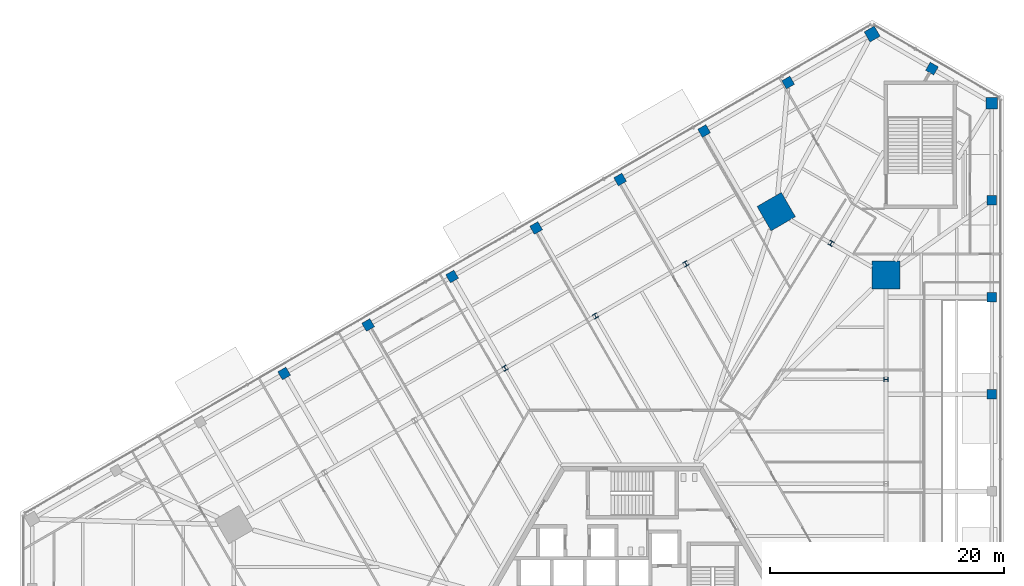
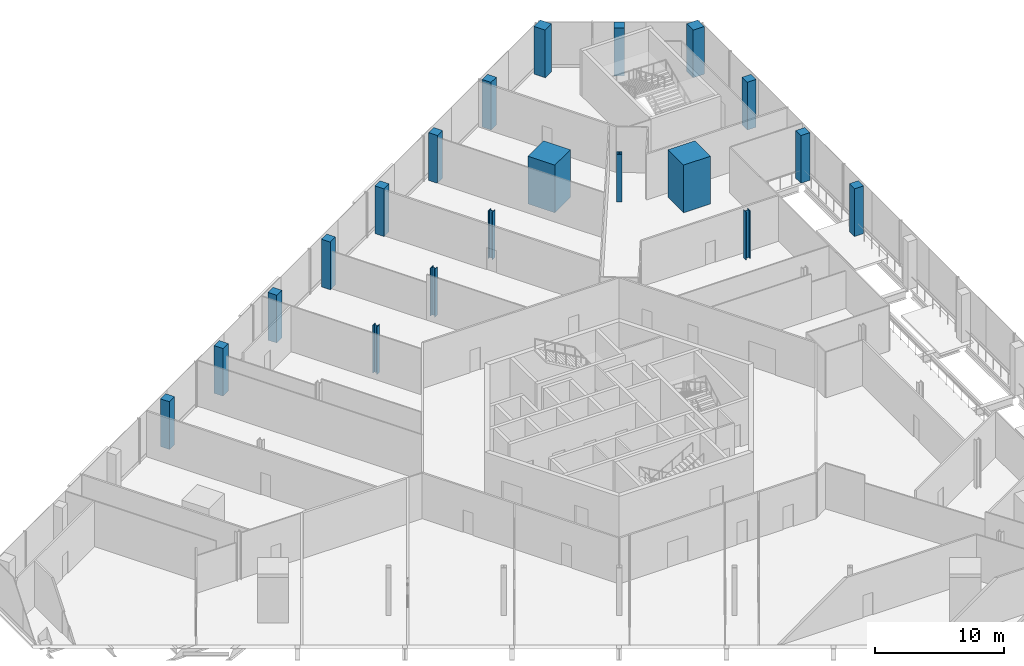
# One storey, part 4 of 27: 20 columns.
"""IFC4 building model written with IfcOpenShell, lengths in metres."""

from ifc_helpers import new_model, si_unit, direction, frame, origin, origin_2d, place, context, subcontext, project, spatial, rectangle, i_section, extrude, source, transform, mapped, material, material_profile, profile_set, type_object, element, save


model = new_model("IFC4")

# Units and contexts
model_context = context("Model", 3, precision=1e-05, world=origin(), true_north=direction((0.0, 1.0)))
body_context = subcontext(model_context, "Body", "Model", "MODEL_VIEW")
ifc_project = project(units=[si_unit("LENGTHUNIT", "METRE"), si_unit("AREAUNIT", "SQUARE_METRE"), si_unit("VOLUMEUNIT", "CUBIC_METRE"), si_unit("PLANEANGLEUNIT", "RADIAN"), si_unit("MASSUNIT", "GRAM", prefix="KILO")], contexts=[model_context])

# Site, building, storey
site_placement = place(None, origin())
site = spatial("IfcSite", under=ifc_project, at=site_placement, CompositionType="ELEMENT")
building_placement = place(site_placement, origin())
building = spatial("IfcBuilding", under=site, at=building_placement, Name="Triune Harvest Tower", CompositionType="ELEMENT")
storey_placement = place(building_placement, frame((0.0, 0.0, 7.0)))
storey = spatial("IfcBuildingStorey", under=building, at=storey_placement, Name="L01", CompositionType="ELEMENT", Elevation=7.0)

# Columns
ifc_material_1 = material(Name="Concrete 70 MPa", Category="concrete")
ifc_material_profile_1 = material_profile(ifc_material_1, rectangle(XDim=2.39990234375, YDim=2.39990234375, at=origin_2d()), Name="Composite 2400x2400")
ifc_profile_set_1 = profile_set([ifc_material_profile_1], Name="Concrete 70 MPa")
column_type_1 = type_object("IfcColumnType", Name="MC-1 Mega column Composite 2400x2400", PredefinedType="COLUMN", material=ifc_profile_set_1)
shared_shape_1 = source(origin(), body_context, "Body", "SweptSolid", [
    extrude(rectangle(XDim=2.39990234375, YDim=2.39990234375, at=origin_2d()), origin(), (0.0, 0.0, 1.0), 4.5),
])
for number, where, z_axis, x_axis, name in (
    (1, (21.679443359375, 26.72998046875, 0.0), (0.0, 0.0, 1.0), (0.0, 1.0, 0.0), "col/L01/M6"),
    (2, (12.30908203125, 32.139892578125, 0.0), (0.0, 0.0, 1.0), (-0.866025403784, -0.5, 0.0), "col/L01/M8"),
):
    element("IfcColumn", number, at=place(storey_placement, frame(where, z_axis=z_axis, x_axis=x_axis)), inside=storey, type_object=column_type_1, Name=name, PredefinedType="COLUMN", context=body_context, shape_type="MappedRepresentation", body=[
        mapped(shared_shape_1, transform((0.0, 0.0, 0.0), scale=1.0)),
    ])
ifc_material_2 = material(Name="Steel ASTM A992 Gr 50", Category="steel")
ifc_material_profile_2 = material_profile(ifc_material_2, i_section(OverallWidth=0.40380859375, OverallDepth=0.406494140625, WebThickness=0.027099609375, FlangeThickness=0.043701171875, at=origin_2d()), Name="W14x233")
ifc_profile_set_2 = profile_set([ifc_material_profile_2], Name="Steel ASTM A992 Gr 50")
column_type_2 = type_object("IfcColumnType", Name="PC-1 Perimeter column W14x233", PredefinedType="COLUMN", material=ifc_profile_set_2)
shared_shape_2 = source(origin(), body_context, "Body", "SweptSolid", [
    extrude(i_section(OverallWidth=0.40380859375, OverallDepth=0.406494140625, WebThickness=0.027099609375, FlangeThickness=0.043701171875, at=origin_2d()), origin(), (0.0, 0.0, 1.0), 4.5),
])
for number, where, z_axis, x_axis, name in (
    (3, (21.679443359375, 17.820068359375, 0.0), (0.0, 0.0, 1.0), (0.0, 1.0, 0.0), "col/L01/P5"),
    (4, (16.994384765625, 29.43505859375, 0.0), (0.0, 0.0, 1.0), (-0.866026276448, 0.4999984885, 0.0), "col/L01/P7"),
    (5, (4.5927734375, 27.68505859375, 0.0), (0.0, 0.0, 1.0), (-0.866025403784, -0.5, 0.0), "col/L01/P9"),
    (6, (-3.12353515625, 23.22998046875, 0.0), (0.0, 0.0, 1.0), (-0.866025403784, -0.5, 0.0), "col/L01/P10"),
    (7, (-10.839599609375, 18.77490234375, 0.0), (0.0, 0.0, 1.0), (-0.866025403784, -0.5, 0.0), "col/L01/P11"),
):
    element("IfcColumn", number, at=place(storey_placement, frame(where, z_axis=z_axis, x_axis=x_axis)), inside=storey, type_object=column_type_2, Name=name, PredefinedType="COLUMN", context=body_context, shape_type="MappedRepresentation", body=[
        mapped(shared_shape_2, transform((0.0, 0.0, 0.0), scale=1.0)),
    ])
ifc_material_3 = material(Name="Concrete 50 MPa", Category="concrete")
ifc_material_profile_3 = material_profile(ifc_material_3, rectangle(XDim=1.0, YDim=1.0, at=origin_2d()), Name="Concrete 1000x1000")
ifc_profile_set_3 = profile_set([ifc_material_profile_3], Name="Concrete 50 MPa")
column_type_3 = type_object("IfcColumnType", Name="PD-1 Podium column Concrete 1000x1000", PredefinedType="COLUMN", material=ifc_profile_set_3)
shared_shape_3 = source(origin(), body_context, "Body", "SweptSolid", [
    extrude(rectangle(XDim=1.0, YDim=1.0, at=origin_2d()), origin(), (0.0, 0.0, 1.0), 4.5),
])
for number, where, z_axis, x_axis, name in (
    (8, (30.715087890625, 41.39990234375, 0.0), (0.0, 0.0, 1.0), (0.0, 1.0, 0.0), "col/L01/D10"),
    (9, (20.495849609375, 47.300048828125, 0.0), (0.0, 0.0, 1.0), (-0.866025403784, -0.5, 0.0), "col/L01/D12"),
):
    element("IfcColumn", number, at=place(storey_placement, frame(where, z_axis=z_axis, x_axis=x_axis)), inside=storey, type_object=column_type_3, Name=name, PredefinedType="COLUMN", context=body_context, shape_type="MappedRepresentation", body=[
        mapped(shared_shape_3, transform((0.0, 0.0, 0.0), scale=1.0)),
    ])
ifc_material_4 = material(Name="Concrete 50 MPa", Category="concrete")
ifc_material_profile_4 = material_profile(ifc_material_4, rectangle(XDim=0.800048828125, YDim=0.800048828125, at=origin_2d()), Name="Concrete 800x800")
ifc_profile_set_4 = profile_set([ifc_material_profile_4], Name="Concrete 50 MPa")
column_type_4 = type_object("IfcColumnType", Name="PD-2 Podium column Concrete 800x800", PredefinedType="COLUMN", material=ifc_profile_set_4)
shared_shape_4 = source(origin(), body_context, "Body", "SweptSolid", [
    extrude(rectangle(XDim=0.800048828125, YDim=0.800048828125, at=origin_2d()), origin(), (0.0, 0.0, 1.0), 4.5),
])
for number, where, z_axis, x_axis, name in (
    (10, (30.715087890625, 16.56005859375, 0.0), (0.0, 0.0, 1.0), (0.0, 1.0, 0.0), "col/L01/D7"),
    (11, (30.715087890625, 24.840087890625, 0.0), (0.0, 0.0, 1.0), (0.0, 1.0, 0.0), "col/L01/D8"),
    (12, (30.715087890625, 33.1201171875, 0.0), (0.0, 0.0, 1.0), (0.0, 1.0, 0.0), "col/L01/D9"),
    (13, (25.60546875, 44.35009765625, 0.0), (0.0, 0.0, 1.0), (-0.866027149108, 0.499996976998, 0.0), "col/L01/D11"),
    (14, (13.3251953125, 43.159912109375, 0.0), (0.0, 0.0, 1.0), (-0.866025403784, -0.5, 0.0), "col/L01/D13"),
    (15, (6.154541015625, 39.02001953125, 0.0), (0.0, 0.0, 1.0), (-0.866025403784, -0.5, 0.0), "col/L01/D14"),
    (16, (-1.01611328125, 34.8798828125, 0.0), (0.0, 0.0, 1.0), (-0.866025403784, -0.5, 0.0), "col/L01/D15"),
    (17, (-8.18701171875, 30.739990234375, 0.0), (0.0, 0.0, 1.0), (-0.866025403784, -0.5, 0.0), "col/L01/D16"),
    (18, (-15.357421875, 26.60009765625, 0.0), (0.0, 0.0, 1.0), (-0.866025403784, -0.5, 0.0), "col/L01/D17"),
    (19, (-22.5283203125, 22.4599609375, 0.0), (0.0, 0.0, 1.0), (-0.866025403784, -0.5, 0.0), "col/L01/D18"),
    (20, (-29.698974609375, 18.320068359375, 0.0), (0.0, 0.0, 1.0), (-0.866025403784, -0.5, 0.0), "col/L01/D19"),
):
    element("IfcColumn", number, at=place(storey_placement, frame(where, z_axis=z_axis, x_axis=x_axis)), inside=storey, type_object=column_type_4, Name=name, PredefinedType="COLUMN", context=body_context, shape_type="MappedRepresentation", body=[
        mapped(shared_shape_4, transform((0.0, 0.0, 0.0), scale=1.0)),
    ])

save(model, "model.ifc")
